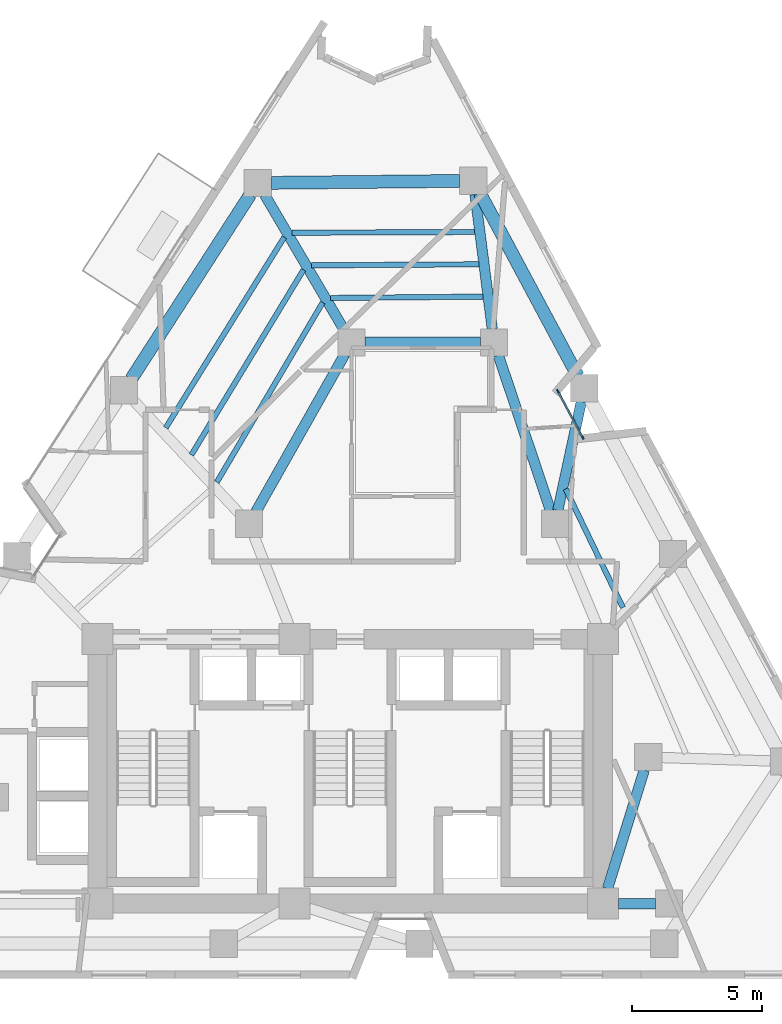
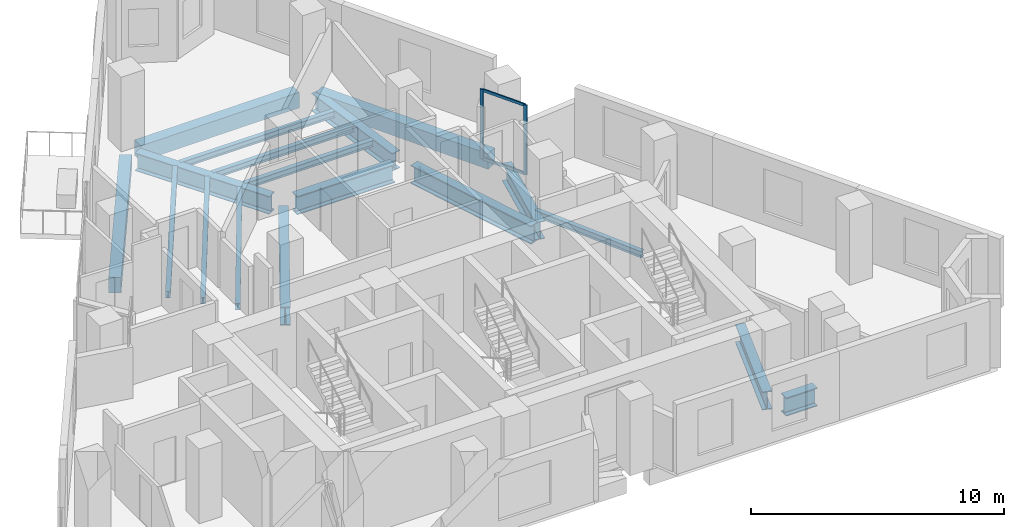
# One storey, part 3 of 10: 18 beams, 4 members, 1 element without a shape of its own.
"""IFC4 building model written with IfcOpenShell, lengths in metres."""

from ifc_helpers import new_model, si_unit, direction, frame, origin, origin_2d, place, context, subcontext, project, spatial, rectangle, i_section, extrude, material, layer, layer_set, material_profile, profile_set, type_object, element, aggregate, save


model = new_model("IFC4")

# Units and contexts
model_context = context("Model", 3, precision=1e-05, world=origin(), true_north=direction((0.0, 1.0)))
body_context = subcontext(model_context, "Body", "Model", "MODEL_VIEW")
ifc_project = project(units=[si_unit("LENGTHUNIT", "METRE"), si_unit("AREAUNIT", "SQUARE_METRE"), si_unit("VOLUMEUNIT", "CUBIC_METRE"), si_unit("PLANEANGLEUNIT", "RADIAN"), si_unit("MASSUNIT", "GRAM", prefix="KILO")], contexts=[model_context])

# Site, building, storey
site_placement = place(None, origin())
site = spatial("IfcSite", under=ifc_project, at=site_placement, CompositionType="ELEMENT")
building_placement = place(site_placement, origin())
building = spatial("IfcBuilding", under=site, at=building_placement, Name="Almagre Mirador Tower", CompositionType="ELEMENT")
storey_placement = place(building_placement, frame((0.0, 0.0, 186.0)))
storey = spatial("IfcBuildingStorey", under=building, at=storey_placement, Name="L48", CompositionType="ELEMENT", Elevation=186.0)

# Beams
ifc_material_1 = material(Name="Steel ASTM A992 Grade 50", Category="steel")
ifc_material_profile_1 = material_profile(ifc_material_1, i_section(OverallWidth=0.205078125, OverallDepth=0.31005859375, WebThickness=0.009521484375, FlangeThickness=0.016357421875, FilletRadius=0.013916015625, at=origin_2d()), Name="W12X50")
ifc_profile_set_1 = profile_set([ifc_material_profile_1], Name="Steel ASTM A992 Grade 50")
beam_type_1 = type_object("IfcBeamType", Name="BM-JST-W12X50", PredefinedType="JOIST", material=ifc_profile_set_1)
beam_1_placement = place(storey_placement, frame((47.822021484375, 15.97265625, -0.405029296875), z_axis=(-0.434740994788, 0.900555532686, 0.0), x_axis=(-0.900555532686, -0.434740994788, 0.0)))
element("IfcBeam", 1, at=beam_1_placement, inside=storey, type_object=beam_type_1, Name="L48 secondary floor joist PC06-PC07.3", PredefinedType="JOIST", context=body_context, shape_type="SweptSolid", body=[
    extrude(i_section(OverallWidth=0.205078125, OverallDepth=0.31005859375, WebThickness=0.009521484375, FlangeThickness=0.016357421875, FilletRadius=0.013916015625, at=origin_2d()), origin(), (0.0, 0.0, 1.0), 5.075439453125),
])
beam_2_placement = place(storey_placement, frame((42.10400390625, 30.45849609375, -0.405029296875), z_axis=(-0.999991632659, -0.004090796071, 0.0), x_axis=(0.004090796071, -0.999991632659, 0.0)))
element("IfcBeam", 2, at=beam_2_placement, inside=storey, type_object=beam_type_1, Name="L48 secondary floor joist PC08-PC09.1", PredefinedType="JOIST", context=body_context, shape_type="SweptSolid", body=[
    extrude(i_section(OverallWidth=0.205078125, OverallDepth=0.31005859375, WebThickness=0.009521484375, FlangeThickness=0.016357421875, FilletRadius=0.013916015625, at=origin_2d()), origin(), (0.0, 0.0, 1.0), 7.042236328125),
])
beam_3_placement = place(storey_placement, frame((42.263916015625, 29.2119140625, -0.405029296875), z_axis=(-0.999980331831, -0.006271837952, 0.0), x_axis=(0.006271837952, -0.999980331831, 0.0)))
element("IfcBeam", 3, at=beam_3_placement, inside=storey, type_object=beam_type_1, Name="L48 secondary floor joist PC08-PC09.2", PredefinedType="JOIST", context=body_context, shape_type="SweptSolid", body=[
    extrude(i_section(OverallWidth=0.205078125, OverallDepth=0.31005859375, WebThickness=0.009521484375, FlangeThickness=0.016357421875, FilletRadius=0.013916015625, at=origin_2d()), origin(), (0.0, 0.0, 1.0), 6.4619140625),
])
beam_4_placement = place(storey_placement, frame((42.423828125, 27.965087890625, -0.405029296875), z_axis=(-0.999960909952, -0.008841864495, 0.0), x_axis=(0.008841864495, -0.999960909952, 0.0)))
element("IfcBeam", 4, at=beam_4_placement, inside=storey, type_object=beam_type_1, Name="L48 secondary floor joist PC08-PC09.3", PredefinedType="JOIST", context=body_context, shape_type="SweptSolid", body=[
    extrude(i_section(OverallWidth=0.205078125, OverallDepth=0.31005859375, WebThickness=0.009521484375, FlangeThickness=0.016357421875, FilletRadius=0.013916015625, at=origin_2d()), origin(), (0.0, 0.0, 1.0), 5.88134765625),
])
beam_5_placement = place(storey_placement, frame((34.7568359375, 30.259521484375, -0.405029296875), z_axis=(-0.527958865584, -0.849269943099, 0.0), x_axis=(0.849269943099, -0.527958865584, 0.0)))
element("IfcBeam", 5, at=beam_5_placement, inside=storey, type_object=beam_type_1, Name="L48 secondary floor joist PC09-PC10.1", PredefinedType="JOIST", context=body_context, shape_type="SweptSolid", body=[
    extrude(i_section(OverallWidth=0.205078125, OverallDepth=0.31005859375, WebThickness=0.009521484375, FlangeThickness=0.016357421875, FilletRadius=0.013916015625, at=origin_2d()), origin(), (0.0, 0.0, 1.0), 8.6552734375),
])
beam_6_placement = place(storey_placement, frame((35.499267578125, 28.99951171875, -0.405029296875), z_axis=(-0.518248582566, -0.855230031435, 0.0), x_axis=(0.855230031435, -0.518248582566, 0.0)))
element("IfcBeam", 6, at=beam_6_placement, inside=storey, type_object=beam_type_1, Name="L48 secondary floor joist PC09-PC10.2", PredefinedType="JOIST", context=body_context, shape_type="SweptSolid", body=[
    extrude(i_section(OverallWidth=0.205078125, OverallDepth=0.31005859375, WebThickness=0.009521484375, FlangeThickness=0.016357421875, FilletRadius=0.013916015625, at=origin_2d()), origin(), (0.0, 0.0, 1.0), 8.3505859375),
])
beam_7_placement = place(storey_placement, frame((36.241943359375, 27.739501953125, -0.405029296875), z_axis=(-0.507774337639, -0.861490117201, 0.0), x_axis=(0.861490117201, -0.507774337639, 0.0)))
element("IfcBeam", 7, at=beam_7_placement, inside=storey, type_object=beam_type_1, Name="L48 secondary floor joist PC09-PC10.3", PredefinedType="JOIST", context=body_context, shape_type="SweptSolid", body=[
    extrude(i_section(OverallWidth=0.205078125, OverallDepth=0.31005859375, WebThickness=0.009521484375, FlangeThickness=0.016357421875, FilletRadius=0.013916015625, at=origin_2d()), origin(), (0.0, 0.0, 1.0), 8.047119140625),
])
ifc_material_2 = material(Name="Precast concrete C50/60", Category="concrete")
ifc_material_profile_2 = material_profile(ifc_material_2, rectangle(XDim=0.5, YDim=0.75, at=origin_2d()), Name="RC500X750")
ifc_profile_set_2 = profile_set([ifc_material_profile_2], Name="Precast concrete C50/60")
beam_type_2 = type_object("IfcBeamType", Name="BM-SPN-RC500X750", PredefinedType="SPANDREL", material=ifc_profile_set_2)
beam_8_placement = place(storey_placement, frame((46.082275390625, 24.89697265625, -0.625), z_axis=(-0.471728183201, 0.881744022477, 0.0), x_axis=(-0.881744022477, -0.471728183201, 0.0)))
element("IfcBeam", 8, at=beam_8_placement, inside=storey, type_object=beam_type_2, Name="L48 perimeter spandrel beam PC07-PC08", PredefinedType="SPANDREL", context=body_context, shape_type="SweptSolid", body=[
    extrude(rectangle(XDim=0.5, YDim=0.75, at=origin_2d()), origin(), (0.0, 0.0, 1.0), 8.02294921875),
])
beam_9_placement = place(storey_placement, frame((41.52490234375, 32.4287109375, -0.625), z_axis=(-0.999948885843, -0.010110672667, 0.0), x_axis=(0.010110672667, -0.999948885843, 0.0)))
element("IfcBeam", 9, at=beam_9_placement, inside=storey, type_object=beam_type_2, Name="L48 perimeter spandrel beam PC08-PC09", PredefinedType="SPANDREL", context=body_context, shape_type="SweptSolid", body=[
    extrude(rectangle(XDim=0.5, YDim=0.75, at=origin_2d()), origin(), (0.0, 0.0, 1.0), 7.268310546875),
])
beam_10_placement = place(storey_placement, frame((33.447509765625, 31.90869140625, -0.625), z_axis=(-0.542037572895, -0.840354252426, 0.0), x_axis=(0.840354252426, -0.542037572895, 0.0)))
element("IfcBeam", 10, at=beam_10_placement, inside=storey, type_object=beam_type_2, Name="L48 perimeter spandrel beam PC09-PC10", PredefinedType="SPANDREL", context=body_context, shape_type="SweptSolid", body=[
    extrude(rectangle(XDim=0.5, YDim=0.75, at=origin_2d()), origin(), (0.0, 0.0, 1.0), 8.469482421875),
])
ifc_material_3 = material(Name="Steel ASTM A992 Grade 50", Category="steel")
ifc_material_profile_3 = material_profile(ifc_material_3, i_section(OverallWidth=0.39892578125, OverallDepth=0.85595703125, WebThickness=0.018310546875, FlangeThickness=0.029296875, FilletRadius=0.02490234375, at=origin_2d()), Name="W33X201")
ifc_profile_set_3 = profile_set([ifc_material_profile_3], Name="Steel ASTM A992 Grade 50")
beam_type_3 = type_object("IfcBeamType", Name="BM-STL-W33X201", PredefinedType="BEAM", material=ifc_profile_set_3)
beam_11_placement = place(storey_placement, frame((46.21923828125, 23.9208984375, -0.677978515625), z_axis=(-0.21103551524, -0.977478394292, 0.0), x_axis=(0.977478394292, -0.21103551524, 0.0)))
element("IfcBeam", 11, at=beam_11_placement, inside=storey, type_object=beam_type_3, Name="L48 radial floor girder PC07-MC5", PredefinedType="BEAM", context=body_context, shape_type="SweptSolid", body=[
    extrude(i_section(OverallWidth=0.39892578125, OverallDepth=0.85595703125, WebThickness=0.018310546875, FlangeThickness=0.029296875, FilletRadius=0.02490234375, at=origin_2d()), origin(), (0.0, 0.0, 1.0), 4.3046875),
])
beam_12_placement = place(storey_placement, frame((42.11669921875, 31.913330078125, -0.677978515625), z_axis=(0.127311366157, -0.99186280102, 0.0), x_axis=(0.99186280102, 0.127311366157, 0.0)))
element("IfcBeam", 12, at=beam_12_placement, inside=storey, type_object=beam_type_3, Name="L48 radial floor girder PC08-MC6", PredefinedType="BEAM", context=body_context, shape_type="SweptSolid", body=[
    extrude(i_section(OverallWidth=0.39892578125, OverallDepth=0.85595703125, WebThickness=0.018310546875, FlangeThickness=0.029296875, FilletRadius=0.02490234375, at=origin_2d()), origin(), (0.0, 0.0, 1.0), 5.235107421875),
])
beam_13_placement = place(storey_placement, frame((33.998291015625, 31.8974609375, -0.677978515625), z_axis=(0.507048179997, -0.861917712524, 0.0), x_axis=(0.861917712524, 0.507048179997, 0.0)))
element("IfcBeam", 13, at=beam_13_placement, inside=storey, type_object=beam_type_3, Name="L48 radial floor girder PC09-MC7", PredefinedType="BEAM", context=body_context, shape_type="SweptSolid", body=[
    extrude(i_section(OverallWidth=0.39892578125, OverallDepth=0.85595703125, WebThickness=0.018310546875, FlangeThickness=0.029296875, FilletRadius=0.02490234375, at=origin_2d()), origin(), (0.0, 0.0, 1.0), 6.085205078125),
])
ifc_material_4 = material(Name="Steel ASTM A992 Grade 50", Category="steel")
ifc_material_profile_4 = material_profile(ifc_material_4, i_section(OverallWidth=0.404052734375, OverallDepth=0.884033203125, WebThickness=0.0244140625, FlangeThickness=0.0439453125, FilletRadius=0.02490234375, at=origin_2d()), Name="W33X291")
ifc_profile_set_4 = profile_set([ifc_material_profile_4], Name="Steel ASTM A992 Grade 50")
beam_type_4 = type_object("IfcBeamType", Name="BM-STL-W33X291", PredefinedType="BEAM", material=ifc_profile_set_4)
beam_14_placement = place(storey_placement, frame((37.875, 26.199951171875, -0.69189453125), z_axis=(1.0, 0.0, 0.0), x_axis=(0.0, 1.0, 0.0)))
element("IfcBeam", 14, at=beam_14_placement, inside=storey, type_object=beam_type_4, Name="L48 core tie girder MC7-MC6", PredefinedType="BEAM", context=body_context, shape_type="SweptSolid", body=[
    extrude(i_section(OverallWidth=0.404052734375, OverallDepth=0.884033203125, WebThickness=0.0244140625, FlangeThickness=0.0439453125, FilletRadius=0.02490234375, at=origin_2d()), origin(), (0.0, 0.0, 1.0), 4.449951171875),
])
beam_15_placement = place(storey_placement, frame((49.074951171875, 4.550048828125, -0.69189453125), z_axis=(-1.0, 0.0, 0.0), x_axis=(0.0, -1.0, 0.0)))
element("IfcBeam", 15, at=beam_15_placement, inside=storey, type_object=beam_type_4, Name="L48 core tie girder MC2-CC3", PredefinedType="BEAM", context=body_context, shape_type="SweptSolid", body=[
    extrude(i_section(OverallWidth=0.404052734375, OverallDepth=0.884033203125, WebThickness=0.0244140625, FlangeThickness=0.0439453125, FilletRadius=0.02490234375, at=origin_2d()), origin(), (0.0, 0.0, 1.0), 1.425048828125),
])
beam_16_placement = place(storey_placement, frame((48.644775390625, 9.698486328125, -0.69189453125), z_axis=(-0.295879743348, -0.955225197258, 0.0), x_axis=(0.955225197258, -0.295879743348, 0.0)))
element("IfcBeam", 16, at=beam_16_placement, inside=storey, type_object=beam_type_4, Name="L48 core tie girder MC3-CC3", PredefinedType="BEAM", context=body_context, shape_type="SweptSolid", body=[
    extrude(i_section(OverallWidth=0.404052734375, OverallDepth=0.884033203125, WebThickness=0.0244140625, FlangeThickness=0.0439453125, FilletRadius=0.02490234375, at=origin_2d()), origin(), (0.0, 0.0, 1.0), 4.789794921875),
])
beam_17_placement = place(storey_placement, frame((43.01708984375, 25.702392578125, -0.69189453125), z_axis=(0.318262189587, -0.948002731367, 0.0), x_axis=(0.948002731367, 0.318262189587, 0.0)))
element("IfcBeam", 17, at=beam_17_placement, inside=storey, type_object=beam_type_4, Name="L48 core tie girder MC6-MC5", PredefinedType="BEAM", context=body_context, shape_type="SweptSolid", body=[
    extrude(i_section(OverallWidth=0.404052734375, OverallDepth=0.884033203125, WebThickness=0.0244140625, FlangeThickness=0.0439453125, FilletRadius=0.02490234375, at=origin_2d()), origin(), (0.0, 0.0, 1.0), 6.333984375),
])
beam_18_placement = place(storey_placement, frame((37.092041015625, 25.742919921875, -0.69189453125), z_axis=(-0.491443510044, -0.870909453638, 0.0), x_axis=(0.870909453638, -0.491443510044, 0.0)))
element("IfcBeam", 18, at=beam_18_placement, inside=storey, type_object=beam_type_4, Name="L48 core tie girder MC7-MC8", PredefinedType="BEAM", context=body_context, shape_type="SweptSolid", body=[
    extrude(i_section(OverallWidth=0.404052734375, OverallDepth=0.884033203125, WebThickness=0.0244140625, FlangeThickness=0.0439453125, FilletRadius=0.02490234375, at=origin_2d()), origin(), (0.0, 0.0, 1.0), 6.98779296875),
])

# Curtain wall, members
ifc_material_5 = material(Name="Black anodized aluminium", Category="aluminium")
ifc_layer = layer(ifc_material_5, 0.169921875)
ifc_layer_set = layer_set([ifc_layer], Name="Black anodized aluminium")
curtain_wall_type = type_object("IfcCurtainWallType", Name="CW-CRS-SYS", PredefinedType="NOTDEFINED", material=ifc_layer_set)
curtain_wall_placement = place(storey_placement, origin())
curtain_wall = element("IfcCurtainWall", 19, at=curtain_wall_placement, inside=storey, type_object=curtain_wall_type, Name="L48 vertical crease curtain wall 03", PredefinedType="NOTDEFINED")
ifc_material_6 = material(Name="Black anodized aluminium", Category="aluminium")
ifc_material_profile_5 = material_profile(ifc_material_6, rectangle(XDim=0.06005859375, YDim=0.14990234375, at=origin_2d()), Name="CWM60X150")
ifc_profile_set_5 = profile_set([ifc_material_profile_5], Name="Black anodized aluminium")
member_type_1 = type_object("IfcMemberType", Name="MBR-CWM60X150", PredefinedType="MULLION", material=ifc_profile_set_5)
member_1_placement = place(storey_placement, frame((45.315185546875, 24.316650390625, 0.0), z_axis=(0.0, 0.0, 1.0), x_axis=(0.881742992316, 0.47173010875, 0.0)))
member_1 = element("IfcMember", 20, at=member_1_placement, type_object=member_type_1, Name="CW-4 mullion 1", PredefinedType="MULLION", context=body_context, shape_type="SweptSolid", body=[
    extrude(rectangle(XDim=0.06005859375, YDim=0.14990234375, at=origin_2d()), origin(), (0.0, 0.0, 1.0), 3.35009765625),
])
member_2_placement = place(storey_placement, frame((46.27294921875, 22.5263671875, 0.0), z_axis=(0.0, 0.0, 1.0), x_axis=(0.881742992316, 0.47173010875, 0.0)))
member_2 = element("IfcMember", 21, at=member_2_placement, type_object=member_type_1, Name="CW-4 mullion 2", PredefinedType="MULLION", context=body_context, shape_type="SweptSolid", body=[
    extrude(rectangle(XDim=0.06005859375, YDim=0.14990234375, at=origin_2d()), origin(), (0.0, 0.0, 1.0), 3.35009765625),
])
ifc_material_7 = material(Name="Black anodized aluminium", Category="aluminium")
ifc_material_profile_6 = material_profile(ifc_material_7, rectangle(XDim=0.06005859375, YDim=0.1298828125, at=origin_2d()), Name="CWT60X130")
ifc_profile_set_6 = profile_set([ifc_material_profile_6], Name="Black anodized aluminium")
member_type_2 = type_object("IfcMemberType", Name="MBR-CWT60X130", PredefinedType="USERDEFINED", material=ifc_profile_set_6)
member_3_placement = place(storey_placement, frame((45.329345703125, 24.2900390625, 0.030029296875), z_axis=(0.471777732693, -0.881717511981, 0.0), x_axis=(0.881717511981, 0.471777732693, 0.0)))
member_3 = element("IfcMember", 22, at=member_3_placement, type_object=member_type_2, Name="CW-4 transom 1.1", ObjectType="TRANSOM", PredefinedType="USERDEFINED", context=body_context, shape_type="SweptSolid", body=[
    extrude(rectangle(XDim=0.06005859375, YDim=0.1298828125, at=origin_2d()), origin(), (0.0, 0.0, 1.0), 1.969970703125),
])
member_4_placement = place(storey_placement, frame((45.329345703125, 24.2900390625, 3.320068359375), z_axis=(0.471777732693, -0.881717511981, 0.0), x_axis=(0.881717511981, 0.471777732693, 0.0)))
member_4 = element("IfcMember", 23, at=member_4_placement, type_object=member_type_2, Name="CW-4 transom 1.2", ObjectType="TRANSOM", PredefinedType="USERDEFINED", context=body_context, shape_type="SweptSolid", body=[
    extrude(rectangle(XDim=0.06005859375, YDim=0.1298828125, at=origin_2d()), origin(), (0.0, 0.0, 1.0), 1.969970703125),
])
aggregate(curtain_wall, [member_1, member_2, member_3, member_4])

save(model, "model.ifc")
